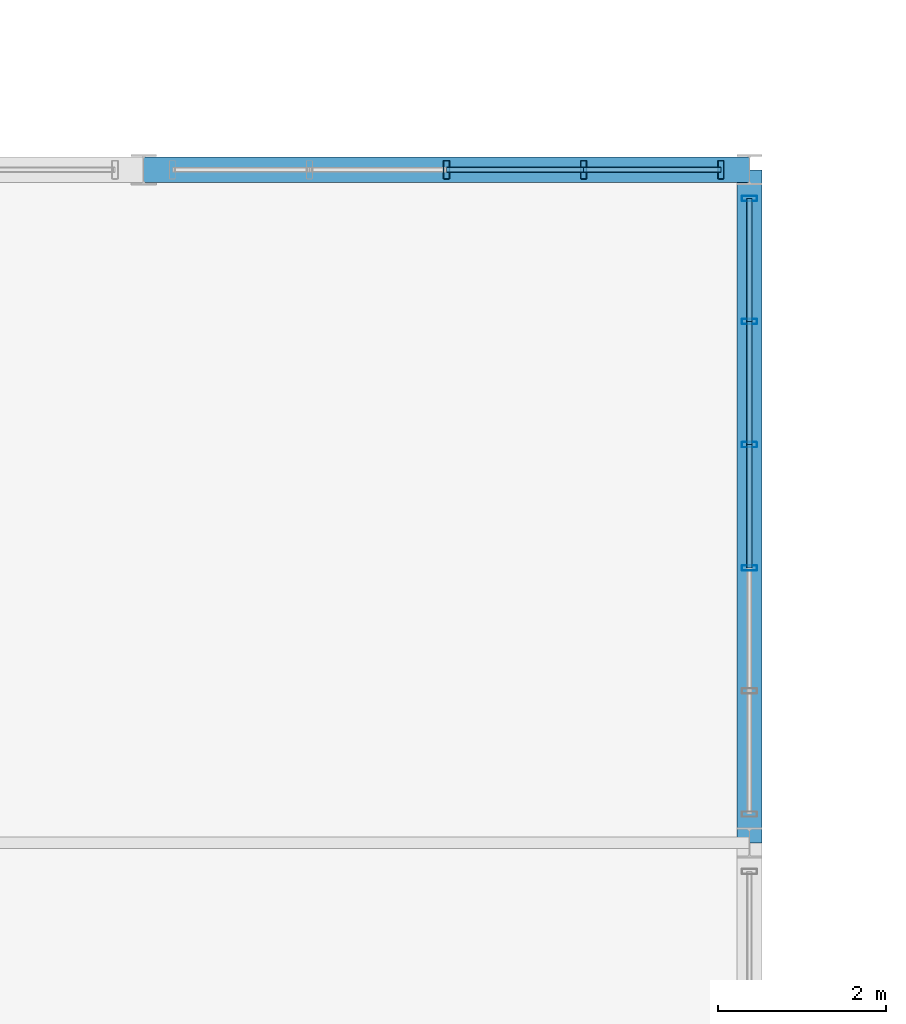
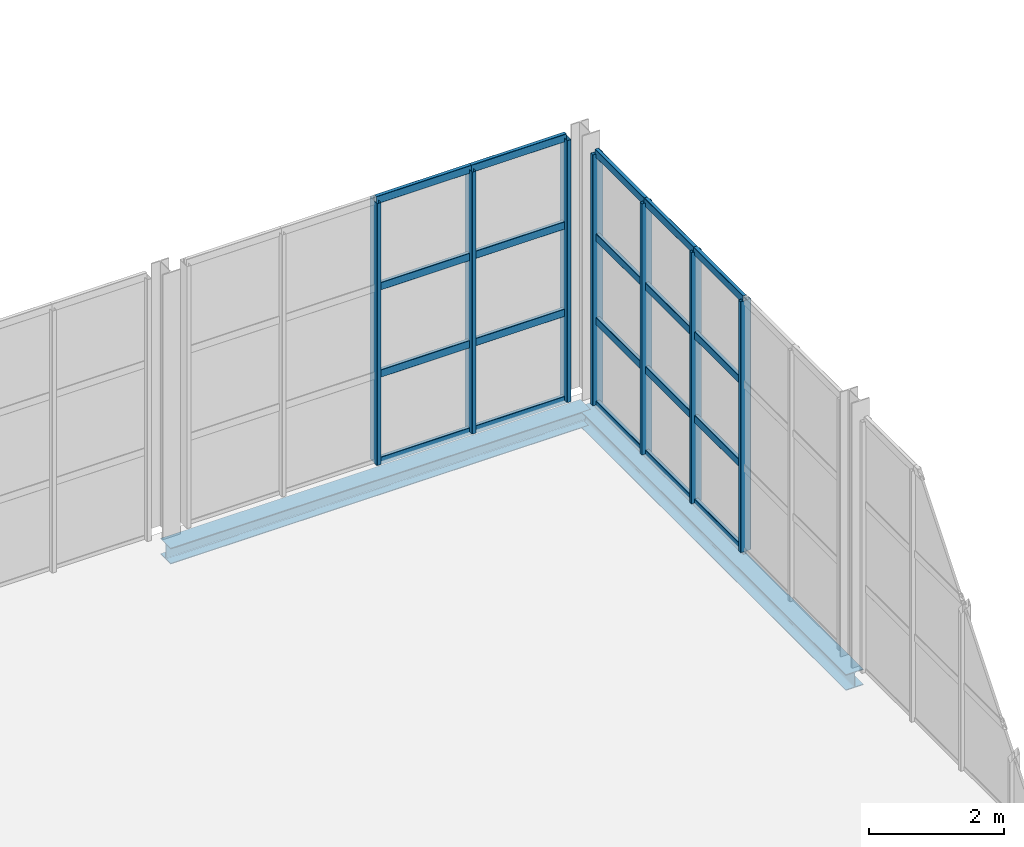
# One storey, part 68 of 143: 27 members, 2 beams, 2 elements without a shape of their own.
"""IFC4 building model written with IfcOpenShell, lengths in metres."""

from ifc_helpers import new_model, si_unit, derived_unit, direction, frame, origin, origin_2d, place, context, subcontext, project, spatial, hollow_rectangle, i_section, extrude, material, material_profile, profile_set, type_object, element, aggregate, save


model = new_model("IFC4")

# Units and contexts
model_context = context("Model", 3, precision=1e-05, world=origin(), true_north=direction((0.0, 1.0)))
body_context = subcontext(model_context, "Body", "Model", "MODEL_VIEW")
ifc_project = project(units=[si_unit("LENGTHUNIT", "METRE"), si_unit("AREAUNIT", "SQUARE_METRE"), si_unit("VOLUMEUNIT", "CUBIC_METRE"), si_unit("PLANEANGLEUNIT", "RADIAN"), si_unit("MASSUNIT", "GRAM", prefix="KILO"), derived_unit("THERMALTRANSMITTANCEUNIT", [(si_unit("POWERUNIT", "WATT"), 1), (si_unit("LENGTHUNIT", "METRE"), -2), (si_unit("THERMODYNAMICTEMPERATUREUNIT", "KELVIN"), -1)])], contexts=[model_context])

# Site, building, storey
site_placement = place(None, origin())
site = spatial("IfcSite", under=ifc_project, at=site_placement, CompositionType="ELEMENT")
building_placement = place(site_placement, origin())
building = spatial("IfcBuilding", under=site, at=building_placement, Name="Keldorne Ridge Multi-Sports Centre", CompositionType="ELEMENT")
storey_placement = place(building_placement, frame((0.0, 0.0, 4.800048828125)))
storey = spatial("IfcBuildingStorey", under=building, at=storey_placement, Name="L01", CompositionType="ELEMENT", Elevation=4.800048828125)

# Beams
ifc_material_1 = material(Name="Steel S355", Category="steel")
ifc_material_profile_1 = material_profile(ifc_material_1, i_section(OverallWidth=0.300048828125, OverallDepth=0.2900390625, WebThickness=0.008544921875, FlangeThickness=0.013916015625, FilletRadius=0.027099609375, at=origin_2d()), Name="HEA 300")
ifc_profile_set_1 = profile_set([ifc_material_profile_1], Name="Steel S355")
beam_type = type_object("IfcBeamType", Name="BM-SP-04", PredefinedType="SPANDREL", material=ifc_profile_set_1)
beam_1_placement = place(storey_placement, frame((42.0, 106.0, -0.3701171875), z_axis=(0.0, 1.0, 0.0), x_axis=(-1.0, 0.0, 0.0)))
element("IfcBeam", 1, at=beam_1_placement, inside=storey, type_object=beam_type, Name="Climbing east spandrel L01.5", PredefinedType="SPANDREL", context=body_context, shape_type="SweptSolid", body=[
    extrude(i_section(OverallWidth=0.300048828125, OverallDepth=0.2900390625, WebThickness=0.008544921875, FlangeThickness=0.013916015625, FilletRadius=0.027099609375, at=origin_2d()), origin(), (0.0, 0.0, 1.0), 8.0),
])
beam_2_placement = place(storey_placement, frame((34.800048828125, 114.0, -0.3701171875), z_axis=(1.0, 0.0, 0.0), x_axis=(0.0, 1.0, 0.0)))
element("IfcBeam", 2, at=beam_2_placement, inside=storey, type_object=beam_type, Name="Climbing spandrel L01.114.5", PredefinedType="SPANDREL", context=body_context, shape_type="SweptSolid", body=[
    extrude(i_section(OverallWidth=0.300048828125, OverallDepth=0.2900390625, WebThickness=0.008544921875, FlangeThickness=0.013916015625, FilletRadius=0.027099609375, at=origin_2d()), origin(), (0.0, 0.0, 1.0), 7.199951171875),
])

# Curtain wall, members
ifc_material_2 = material(Name="Anodized aluminium", Category="aluminium")
curtain_wall_type_1 = type_object("IfcCurtainWallType", Name="CW-CW-07", PredefinedType="NOTDEFINED", material=ifc_material_2)
curtain_wall_1_placement = place(storey_placement, origin())
curtain_wall_1 = element("IfcCurtainWall", 3, at=curtain_wall_1_placement, inside=storey, type_object=curtain_wall_type_1, Name="Climbing east courtyard glazing L01 071", PredefinedType="NOTDEFINED")
ifc_material_profile_2 = material_profile(ifc_material_2, hollow_rectangle(XDim=0.06494140625, YDim=0.179931640625, WallThickness=0.00439453125, InnerFilletRadius=0.00439453125, OuterFilletRadius=0.009033203125, at=origin_2d()), Name="ALU MULLION 180x65x4.5")
ifc_profile_set_2 = profile_set([ifc_material_profile_2], Name="Anodized aluminium")
member_type_1 = type_object("IfcMemberType", Name="MEM-ML-01", PredefinedType="MULLION", material=ifc_profile_set_2)
member_1_placement = place(storey_placement, frame((42.0, 109.26806640625, 0.0), z_axis=(0.0, 0.0, 1.0), x_axis=(0.0, 1.0, 0.0)))
member_1 = element("IfcMember", 4, at=member_1_placement, type_object=member_type_1, Name="CW-071 vertical mullion 3", PredefinedType="MULLION", context=body_context, shape_type="SweptSolid", body=[
    extrude(hollow_rectangle(XDim=0.06494140625, YDim=0.179931640625, WallThickness=0.00439453125, InnerFilletRadius=0.00439453125, OuterFilletRadius=0.009033203125, at=origin_2d()), origin(), (0.0, 0.0, 1.0), 4.550048828125),
])
member_2_placement = place(storey_placement, frame((42.0, 110.73193359375, 0.0), z_axis=(0.0, 0.0, 1.0), x_axis=(0.0, 1.0, 0.0)))
member_2 = element("IfcMember", 5, at=member_2_placement, type_object=member_type_1, Name="CW-071 vertical mullion 4", PredefinedType="MULLION", context=body_context, shape_type="SweptSolid", body=[
    extrude(hollow_rectangle(XDim=0.06494140625, YDim=0.179931640625, WallThickness=0.00439453125, InnerFilletRadius=0.00439453125, OuterFilletRadius=0.009033203125, at=origin_2d()), origin(), (0.0, 0.0, 1.0), 4.550048828125),
])
member_3_placement = place(storey_placement, frame((42.0, 112.196044921875, 0.0), z_axis=(0.0, 0.0, 1.0), x_axis=(0.0, 1.0, 0.0)))
member_3 = element("IfcMember", 6, at=member_3_placement, type_object=member_type_1, Name="CW-071 vertical mullion 5", PredefinedType="MULLION", context=body_context, shape_type="SweptSolid", body=[
    extrude(hollow_rectangle(XDim=0.06494140625, YDim=0.179931640625, WallThickness=0.00439453125, InnerFilletRadius=0.00439453125, OuterFilletRadius=0.009033203125, at=origin_2d()), origin(), (0.0, 0.0, 1.0), 4.550048828125),
])
member_4_placement = place(storey_placement, frame((42.0, 113.659912109375, 0.0), z_axis=(0.0, 0.0, 1.0), x_axis=(0.0, 1.0, 0.0)))
member_4 = element("IfcMember", 7, at=member_4_placement, type_object=member_type_1, Name="CW-071 vertical mullion 6", PredefinedType="MULLION", context=body_context, shape_type="SweptSolid", body=[
    extrude(hollow_rectangle(XDim=0.06494140625, YDim=0.179931640625, WallThickness=0.00439453125, InnerFilletRadius=0.00439453125, OuterFilletRadius=0.009033203125, at=origin_2d()), origin(), (0.0, 0.0, 1.0), 4.550048828125),
])

curtain_wall_type_2 = type_object("IfcCurtainWallType", Name="CW-CW-08", PredefinedType="NOTDEFINED", material=ifc_material_2)
curtain_wall_2_placement = place(storey_placement, origin())
curtain_wall_2 = element("IfcCurtainWall", 8, at=curtain_wall_2_placement, inside=storey, type_object=curtain_wall_type_2, Name="Climbing north glazing L01 056", PredefinedType="NOTDEFINED")
ifc_material_profile_3 = material_profile(ifc_material_2, hollow_rectangle(XDim=0.074951171875, YDim=0.219970703125, WallThickness=0.0048828125, InnerFilletRadius=0.0048828125, OuterFilletRadius=0.010009765625, at=origin_2d()), Name="ALU MULLION 220x75x5")
ifc_profile_set_3 = profile_set([ifc_material_profile_3], Name="Anodized aluminium")
member_type_2 = type_object("IfcMemberType", Name="MEM-ML-02", PredefinedType="MULLION", material=ifc_profile_set_3)
member_5_placement = place(storey_placement, frame((41.659912109375, 114.0, 0.0), z_axis=(0.0, 0.0, 1.0), x_axis=(1.0, 0.0, 0.0)))
member_5 = element("IfcMember", 9, at=member_5_placement, type_object=member_type_2, Name="CW-056 vertical mullion 1", PredefinedType="MULLION", context=body_context, shape_type="SweptSolid", body=[
    extrude(hollow_rectangle(XDim=0.074951171875, YDim=0.219970703125, WallThickness=0.0048828125, InnerFilletRadius=0.0048828125, OuterFilletRadius=0.010009765625, at=origin_2d()), origin(), (0.0, 0.0, 1.0), 4.75),
])
member_6_placement = place(storey_placement, frame((40.030029296875, 114.0, 0.0), z_axis=(0.0, 0.0, 1.0), x_axis=(1.0, 0.0, 0.0)))
member_6 = element("IfcMember", 10, at=member_6_placement, type_object=member_type_2, Name="CW-056 vertical mullion 2", PredefinedType="MULLION", context=body_context, shape_type="SweptSolid", body=[
    extrude(hollow_rectangle(XDim=0.074951171875, YDim=0.219970703125, WallThickness=0.0048828125, InnerFilletRadius=0.0048828125, OuterFilletRadius=0.010009765625, at=origin_2d()), origin(), (0.0, 0.0, 1.0), 4.75),
])
member_7_placement = place(storey_placement, frame((38.39990234375, 114.0, 0.0), z_axis=(0.0, 0.0, 1.0), x_axis=(1.0, 0.0, 0.0)))
member_7 = element("IfcMember", 11, at=member_7_placement, type_object=member_type_2, Name="CW-056 vertical mullion 3", PredefinedType="MULLION", context=body_context, shape_type="SweptSolid", body=[
    extrude(hollow_rectangle(XDim=0.074951171875, YDim=0.219970703125, WallThickness=0.0048828125, InnerFilletRadius=0.0048828125, OuterFilletRadius=0.010009765625, at=origin_2d()), origin(), (0.0, 0.0, 1.0), 4.75),
])
ifc_material_profile_4 = material_profile(ifc_material_2, hollow_rectangle(XDim=0.06494140625, YDim=0.139892578125, WallThickness=0.00439453125, InnerFilletRadius=0.00439453125, OuterFilletRadius=0.009033203125, at=origin_2d()), Name="ALU TRANSOM 140x65x4.5")
ifc_profile_set_4 = profile_set([ifc_material_profile_4], Name="Anodized aluminium")
member_type_3 = type_object("IfcMemberType", Name="MEM-TR-01", PredefinedType="USERDEFINED", material=ifc_profile_set_4)
member_8_placement = place(storey_placement, frame((41.659912109375, 114.0, 0.0), z_axis=(-1.0, 0.0, 0.0), x_axis=(0.0, -1.0, 0.0)))
member_8 = element("IfcMember", 12, at=member_8_placement, type_object=member_type_3, Name="CW-056 transom 1.1", ObjectType="TRANSOM", PredefinedType="USERDEFINED", context=body_context, shape_type="SweptSolid", body=[
    extrude(hollow_rectangle(XDim=0.06494140625, YDim=0.139892578125, WallThickness=0.00439453125, InnerFilletRadius=0.00439453125, OuterFilletRadius=0.009033203125, at=origin_2d()), origin(), (0.0, 0.0, 1.0), 1.6298828125),
])
member_9_placement = place(storey_placement, frame((41.659912109375, 114.0, 1.583251953125), z_axis=(-1.0, 0.0, 0.0), x_axis=(0.0, -1.0, 0.0)))
member_9 = element("IfcMember", 13, at=member_9_placement, type_object=member_type_3, Name="CW-056 transom 1.2", ObjectType="TRANSOM", PredefinedType="USERDEFINED", context=body_context, shape_type="SweptSolid", body=[
    extrude(hollow_rectangle(XDim=0.06494140625, YDim=0.139892578125, WallThickness=0.00439453125, InnerFilletRadius=0.00439453125, OuterFilletRadius=0.009033203125, at=origin_2d()), origin(), (0.0, 0.0, 1.0), 1.6298828125),
])
member_10_placement = place(storey_placement, frame((41.659912109375, 114.0, 3.166748046875), z_axis=(-1.0, 0.0, 0.0), x_axis=(0.0, -1.0, 0.0)))
member_10 = element("IfcMember", 14, at=member_10_placement, type_object=member_type_3, Name="CW-056 transom 1.3", ObjectType="TRANSOM", PredefinedType="USERDEFINED", context=body_context, shape_type="SweptSolid", body=[
    extrude(hollow_rectangle(XDim=0.06494140625, YDim=0.139892578125, WallThickness=0.00439453125, InnerFilletRadius=0.00439453125, OuterFilletRadius=0.009033203125, at=origin_2d()), origin(), (0.0, 0.0, 1.0), 1.6298828125),
])
member_11_placement = place(storey_placement, frame((41.659912109375, 114.0, 4.75), z_axis=(-1.0, 0.0, 0.0), x_axis=(0.0, -1.0, 0.0)))
member_11 = element("IfcMember", 15, at=member_11_placement, type_object=member_type_3, Name="CW-056 transom 1.4", ObjectType="TRANSOM", PredefinedType="USERDEFINED", context=body_context, shape_type="SweptSolid", body=[
    extrude(hollow_rectangle(XDim=0.06494140625, YDim=0.139892578125, WallThickness=0.00439453125, InnerFilletRadius=0.00439453125, OuterFilletRadius=0.009033203125, at=origin_2d()), origin(), (0.0, 0.0, 1.0), 1.6298828125),
])
member_12_placement = place(storey_placement, frame((40.030029296875, 114.0, 0.0), z_axis=(-1.0, 0.0, 0.0), x_axis=(0.0, -1.0, 0.0)))
member_12 = element("IfcMember", 16, at=member_12_placement, type_object=member_type_3, Name="CW-056 transom 2.1", ObjectType="TRANSOM", PredefinedType="USERDEFINED", context=body_context, shape_type="SweptSolid", body=[
    extrude(hollow_rectangle(XDim=0.06494140625, YDim=0.139892578125, WallThickness=0.00439453125, InnerFilletRadius=0.00439453125, OuterFilletRadius=0.009033203125, at=origin_2d()), origin(), (0.0, 0.0, 1.0), 1.630126953125),
])
member_13_placement = place(storey_placement, frame((40.030029296875, 114.0, 1.583251953125), z_axis=(-1.0, 0.0, 0.0), x_axis=(0.0, -1.0, 0.0)))
member_13 = element("IfcMember", 17, at=member_13_placement, type_object=member_type_3, Name="CW-056 transom 2.2", ObjectType="TRANSOM", PredefinedType="USERDEFINED", context=body_context, shape_type="SweptSolid", body=[
    extrude(hollow_rectangle(XDim=0.06494140625, YDim=0.139892578125, WallThickness=0.00439453125, InnerFilletRadius=0.00439453125, OuterFilletRadius=0.009033203125, at=origin_2d()), origin(), (0.0, 0.0, 1.0), 1.630126953125),
])
member_14_placement = place(storey_placement, frame((40.030029296875, 114.0, 3.166748046875), z_axis=(-1.0, 0.0, 0.0), x_axis=(0.0, -1.0, 0.0)))
member_14 = element("IfcMember", 18, at=member_14_placement, type_object=member_type_3, Name="CW-056 transom 2.3", ObjectType="TRANSOM", PredefinedType="USERDEFINED", context=body_context, shape_type="SweptSolid", body=[
    extrude(hollow_rectangle(XDim=0.06494140625, YDim=0.139892578125, WallThickness=0.00439453125, InnerFilletRadius=0.00439453125, OuterFilletRadius=0.009033203125, at=origin_2d()), origin(), (0.0, 0.0, 1.0), 1.630126953125),
])
member_15_placement = place(storey_placement, frame((40.030029296875, 114.0, 4.75), z_axis=(-1.0, 0.0, 0.0), x_axis=(0.0, -1.0, 0.0)))
member_15 = element("IfcMember", 19, at=member_15_placement, type_object=member_type_3, Name="CW-056 transom 2.4", ObjectType="TRANSOM", PredefinedType="USERDEFINED", context=body_context, shape_type="SweptSolid", body=[
    extrude(hollow_rectangle(XDim=0.06494140625, YDim=0.139892578125, WallThickness=0.00439453125, InnerFilletRadius=0.00439453125, OuterFilletRadius=0.009033203125, at=origin_2d()), origin(), (0.0, 0.0, 1.0), 1.630126953125),
])
aggregate(curtain_wall_2, [member_5, member_6, member_7, member_8, member_9, member_10, member_11, member_12, member_13, member_14, member_15])

# Member
member_16_placement = place(storey_placement, frame((42.0, 109.26806640625, 0.0), z_axis=(0.0, 1.0, 0.0), x_axis=(-1.0, 0.0, 0.0)))
member_16 = element("IfcMember", 20, at=member_16_placement, type_object=member_type_3, Name="CW-071 transom 3.1", ObjectType="TRANSOM", PredefinedType="USERDEFINED", context=body_context, shape_type="SweptSolid", body=[
    extrude(hollow_rectangle(XDim=0.06494140625, YDim=0.139892578125, WallThickness=0.00439453125, InnerFilletRadius=0.00439453125, OuterFilletRadius=0.009033203125, at=origin_2d()), origin(), (0.0, 0.0, 1.0), 1.4638671875),
])

member_17_placement = place(storey_placement, frame((42.0, 109.26806640625, 1.5166015625), z_axis=(0.0, 1.0, 0.0), x_axis=(-1.0, 0.0, 0.0)))
member_17 = element("IfcMember", 21, at=member_17_placement, type_object=member_type_3, Name="CW-071 transom 3.2", ObjectType="TRANSOM", PredefinedType="USERDEFINED", context=body_context, shape_type="SweptSolid", body=[
    extrude(hollow_rectangle(XDim=0.06494140625, YDim=0.139892578125, WallThickness=0.00439453125, InnerFilletRadius=0.00439453125, OuterFilletRadius=0.009033203125, at=origin_2d()), origin(), (0.0, 0.0, 1.0), 1.4638671875),
])

member_18_placement = place(storey_placement, frame((42.0, 109.26806640625, 3.033203125), z_axis=(0.0, 1.0, 0.0), x_axis=(-1.0, 0.0, 0.0)))
member_18 = element("IfcMember", 22, at=member_18_placement, type_object=member_type_3, Name="CW-071 transom 3.3", ObjectType="TRANSOM", PredefinedType="USERDEFINED", context=body_context, shape_type="SweptSolid", body=[
    extrude(hollow_rectangle(XDim=0.06494140625, YDim=0.139892578125, WallThickness=0.00439453125, InnerFilletRadius=0.00439453125, OuterFilletRadius=0.009033203125, at=origin_2d()), origin(), (0.0, 0.0, 1.0), 1.4638671875),
])

member_19_placement = place(storey_placement, frame((42.0, 109.26806640625, 4.550048828125), z_axis=(0.0, 1.0, 0.0), x_axis=(-1.0, 0.0, 0.0)))
member_19 = element("IfcMember", 23, at=member_19_placement, type_object=member_type_3, Name="CW-071 transom 3.4", ObjectType="TRANSOM", PredefinedType="USERDEFINED", context=body_context, shape_type="SweptSolid", body=[
    extrude(hollow_rectangle(XDim=0.06494140625, YDim=0.139892578125, WallThickness=0.00439453125, InnerFilletRadius=0.00439453125, OuterFilletRadius=0.009033203125, at=origin_2d()), origin(), (0.0, 0.0, 1.0), 1.4638671875),
])

member_20_placement = place(storey_placement, frame((42.0, 110.73193359375, 0.0), z_axis=(0.0, 1.0, 0.0), x_axis=(-1.0, 0.0, 0.0)))
member_20 = element("IfcMember", 24, at=member_20_placement, type_object=member_type_3, Name="CW-071 transom 4.1", ObjectType="TRANSOM", PredefinedType="USERDEFINED", context=body_context, shape_type="SweptSolid", body=[
    extrude(hollow_rectangle(XDim=0.06494140625, YDim=0.139892578125, WallThickness=0.00439453125, InnerFilletRadius=0.00439453125, OuterFilletRadius=0.009033203125, at=origin_2d()), origin(), (0.0, 0.0, 1.0), 1.464111328125),
])

member_21_placement = place(storey_placement, frame((42.0, 110.73193359375, 1.5166015625), z_axis=(0.0, 1.0, 0.0), x_axis=(-1.0, 0.0, 0.0)))
member_21 = element("IfcMember", 25, at=member_21_placement, type_object=member_type_3, Name="CW-071 transom 4.2", ObjectType="TRANSOM", PredefinedType="USERDEFINED", context=body_context, shape_type="SweptSolid", body=[
    extrude(hollow_rectangle(XDim=0.06494140625, YDim=0.139892578125, WallThickness=0.00439453125, InnerFilletRadius=0.00439453125, OuterFilletRadius=0.009033203125, at=origin_2d()), origin(), (0.0, 0.0, 1.0), 1.464111328125),
])

member_22_placement = place(storey_placement, frame((42.0, 110.73193359375, 3.033203125), z_axis=(0.0, 1.0, 0.0), x_axis=(-1.0, 0.0, 0.0)))
member_22 = element("IfcMember", 26, at=member_22_placement, type_object=member_type_3, Name="CW-071 transom 4.3", ObjectType="TRANSOM", PredefinedType="USERDEFINED", context=body_context, shape_type="SweptSolid", body=[
    extrude(hollow_rectangle(XDim=0.06494140625, YDim=0.139892578125, WallThickness=0.00439453125, InnerFilletRadius=0.00439453125, OuterFilletRadius=0.009033203125, at=origin_2d()), origin(), (0.0, 0.0, 1.0), 1.464111328125),
])

member_23_placement = place(storey_placement, frame((42.0, 110.73193359375, 4.550048828125), z_axis=(0.0, 1.0, 0.0), x_axis=(-1.0, 0.0, 0.0)))
member_23 = element("IfcMember", 27, at=member_23_placement, type_object=member_type_3, Name="CW-071 transom 4.4", ObjectType="TRANSOM", PredefinedType="USERDEFINED", context=body_context, shape_type="SweptSolid", body=[
    extrude(hollow_rectangle(XDim=0.06494140625, YDim=0.139892578125, WallThickness=0.00439453125, InnerFilletRadius=0.00439453125, OuterFilletRadius=0.009033203125, at=origin_2d()), origin(), (0.0, 0.0, 1.0), 1.464111328125),
])

member_24_placement = place(storey_placement, frame((42.0, 112.196044921875, 0.0), z_axis=(0.0, 1.0, 0.0), x_axis=(-1.0, 0.0, 0.0)))
member_24 = element("IfcMember", 28, at=member_24_placement, type_object=member_type_3, Name="CW-071 transom 5.1", ObjectType="TRANSOM", PredefinedType="USERDEFINED", context=body_context, shape_type="SweptSolid", body=[
    extrude(hollow_rectangle(XDim=0.06494140625, YDim=0.139892578125, WallThickness=0.00439453125, InnerFilletRadius=0.00439453125, OuterFilletRadius=0.009033203125, at=origin_2d()), origin(), (0.0, 0.0, 1.0), 1.4638671875),
])

member_25_placement = place(storey_placement, frame((42.0, 112.196044921875, 1.5166015625), z_axis=(0.0, 1.0, 0.0), x_axis=(-1.0, 0.0, 0.0)))
member_25 = element("IfcMember", 29, at=member_25_placement, type_object=member_type_3, Name="CW-071 transom 5.2", ObjectType="TRANSOM", PredefinedType="USERDEFINED", context=body_context, shape_type="SweptSolid", body=[
    extrude(hollow_rectangle(XDim=0.06494140625, YDim=0.139892578125, WallThickness=0.00439453125, InnerFilletRadius=0.00439453125, OuterFilletRadius=0.009033203125, at=origin_2d()), origin(), (0.0, 0.0, 1.0), 1.4638671875),
])

member_26_placement = place(storey_placement, frame((42.0, 112.196044921875, 3.033203125), z_axis=(0.0, 1.0, 0.0), x_axis=(-1.0, 0.0, 0.0)))
member_26 = element("IfcMember", 30, at=member_26_placement, type_object=member_type_3, Name="CW-071 transom 5.3", ObjectType="TRANSOM", PredefinedType="USERDEFINED", context=body_context, shape_type="SweptSolid", body=[
    extrude(hollow_rectangle(XDim=0.06494140625, YDim=0.139892578125, WallThickness=0.00439453125, InnerFilletRadius=0.00439453125, OuterFilletRadius=0.009033203125, at=origin_2d()), origin(), (0.0, 0.0, 1.0), 1.4638671875),
])

member_27_placement = place(storey_placement, frame((42.0, 112.196044921875, 4.550048828125), z_axis=(0.0, 1.0, 0.0), x_axis=(-1.0, 0.0, 0.0)))
member_27 = element("IfcMember", 31, at=member_27_placement, type_object=member_type_3, Name="CW-071 transom 5.4", ObjectType="TRANSOM", PredefinedType="USERDEFINED", context=body_context, shape_type="SweptSolid", body=[
    extrude(hollow_rectangle(XDim=0.06494140625, YDim=0.139892578125, WallThickness=0.00439453125, InnerFilletRadius=0.00439453125, OuterFilletRadius=0.009033203125, at=origin_2d()), origin(), (0.0, 0.0, 1.0), 1.4638671875),
])

aggregate(curtain_wall_1, [member_1, member_2, member_3, member_4, member_16, member_17, member_18, member_19, member_20, member_21, member_22, member_23, member_24, member_25, member_26, member_27])

save(model, "model.ifc")
